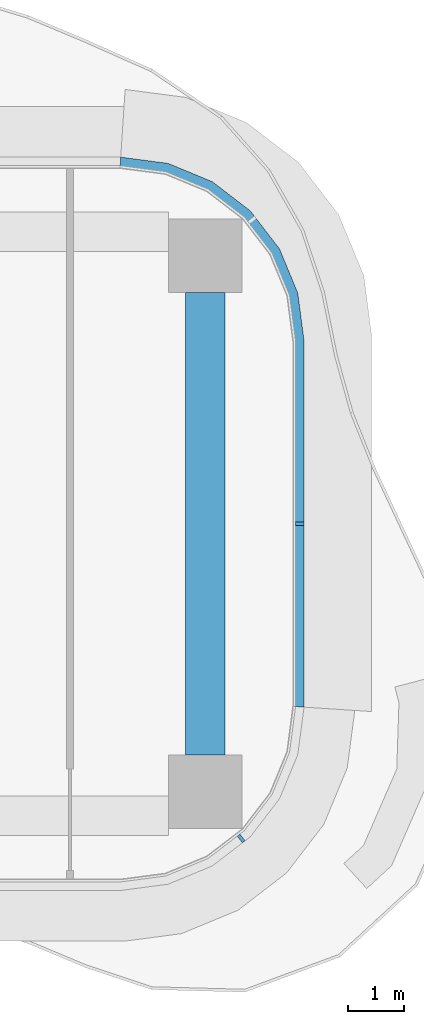
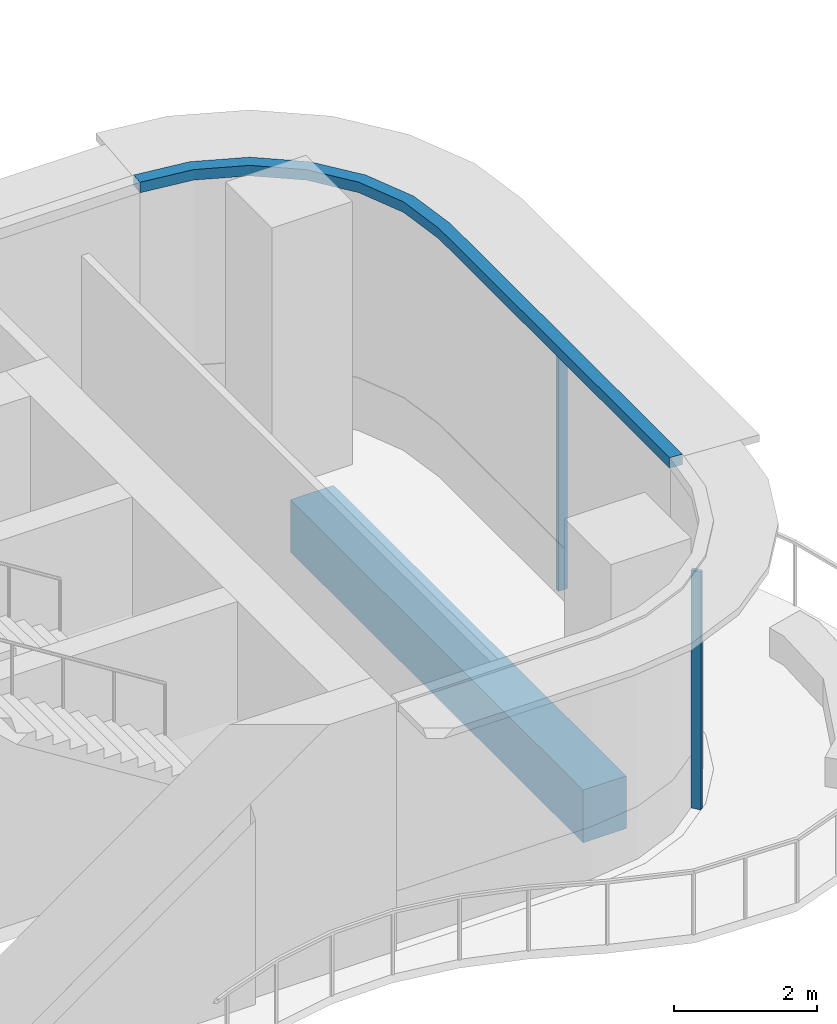
# One storey, part 7 of 22: 3 members, 1 beam, 2 elements without a shape of their own.
"""IFC4 building model written with IfcOpenShell, lengths in metres."""

from ifc_helpers import new_model, si_unit, direction, frame, origin, origin_2d, place, context, subcontext, project, spatial, polyline, rectangle, outline, extrude, source, transform, mapped, material, layer, layer_set, material_profile, profile_set, type_object, element, aggregate, save


model = new_model("IFC4")

# Units and contexts
model_context = context("Model", 3, precision=1e-05, world=origin(), true_north=direction((0.0, 1.0)))
body_context = subcontext(model_context, "Body", "Model", "MODEL_VIEW")
ifc_project = project(units=[si_unit("LENGTHUNIT", "METRE"), si_unit("AREAUNIT", "SQUARE_METRE"), si_unit("VOLUMEUNIT", "CUBIC_METRE"), si_unit("PLANEANGLEUNIT", "RADIAN"), si_unit("MASSUNIT", "GRAM", prefix="KILO")], contexts=[model_context])

# Site, building, storey
site_placement = place(None, origin())
site = spatial("IfcSite", under=ifc_project, at=site_placement, CompositionType="ELEMENT")
building_placement = place(site_placement, origin())
building = spatial("IfcBuilding", under=site, at=building_placement, Name="Trellis Farm Tower", CompositionType="ELEMENT")
storey_placement = place(building_placement, frame((0.0, 0.0, 124.5)))
storey = spatial("IfcBuildingStorey", under=building, at=storey_placement, Name="L26", CompositionType="ELEMENT", Elevation=124.5)

# Beam
ifc_material_1 = material(Name="Concrete C60/75", Category="concrete")
ifc_material_profile_1 = material_profile(ifc_material_1, rectangle(XDim=0.699951171875, YDim=0.89990234375, at=origin_2d()), Name="RC spandrel beam 700x900 C60/75")
ifc_profile_set_1 = profile_set([ifc_material_profile_1], Name="Concrete C60/75")
beam_type = type_object("IfcBeamType", Name="RC spandrel beam 700x900 C60/75", PredefinedType="SPANDREL", material=ifc_profile_set_1)
shared_shape_1 = source(origin(), body_context, "Body", "SweptSolid", [
    extrude(rectangle(XDim=0.699951171875, YDim=0.89990234375, at=origin_2d()), origin(), (0.0, 0.0, 1.0), 8.2001953125),
])
beam_placement = place(storey_placement, frame((27.5, -4.10009765625, -0.699951171875), z_axis=(0.0, 1.0, 0.0), x_axis=(-1.0, 0.0, 0.0)))
element("IfcBeam", 1, at=beam_placement, inside=storey, type_object=beam_type, Name="Girder", PredefinedType="SPANDREL", context=body_context, shape_type="MappedRepresentation", body=[
    mapped(shared_shape_1, transform((0.0, 0.0, 0.0))),
])

# Curtain wall, member
ifc_material_2 = material(Name="Aluminium and glass curtain wall", Category="aluminium")
ifc_layer_1 = layer(ifc_material_2, 0.18994140625)
ifc_layer_set_1 = layer_set([ifc_layer_1], Name="RIBBON CURTAIN WALL CW1")
curtain_wall_type = type_object("IfcCurtainWallType", Name="RIBBON CURTAIN WALL CW1", PredefinedType="NOTDEFINED", material=ifc_layer_set_1)
placement = place(storey_placement, origin())
curtain_wall_1 = element("IfcCurtainWall", 2, at=placement, inside=storey, type_object=curtain_wall_type, Name="CW1 006", PredefinedType="NOTDEFINED")
ifc_material_3 = material(Name="Aluminium extrusion 6063-T6", Category="aluminium")
ifc_material_profile_2 = material_profile(ifc_material_3, rectangle(XDim=0.06005859375, YDim=0.14990234375, at=origin_2d()), Name="MULLION 60x150")
ifc_profile_set_2 = profile_set([ifc_material_profile_2], Name="Aluminium extrusion 6063-T6")
member_type_1 = type_object("IfcMemberType", Name="CW1 MULLION 60x150", PredefinedType="MULLION", material=ifc_profile_set_2)
shared_shape_2 = source(origin(), body_context, "Body", "SweptSolid", [
    extrude(rectangle(XDim=0.06005859375, YDim=0.14990234375, at=origin_2d()), origin(), (0.0, 0.0, 1.0), 4.070068359375),
])
member_1_placement = place(storey_placement, frame((28.135498046875, -5.578369140625, 0.0), z_axis=(0.0, 0.0, 1.0), x_axis=(0.793353340291, 0.608761429009, 0.0)))
member_1 = element("IfcMember", 3, at=member_1_placement, type_object=member_type_1, Name="MU1 006-01", PredefinedType="MULLION", context=body_context, shape_type="MappedRepresentation", body=[
    mapped(shared_shape_2, transform((0.0, 0.0, 0.0))),
])
aggregate(curtain_wall_1, [member_1])

# Curtain wall, members
curtain_wall_2 = element("IfcCurtainWall", 4, at=placement, inside=storey, type_object=curtain_wall_type, Name="CW1 007", PredefinedType="NOTDEFINED")
member_2_placement = place(storey_placement, frame((29.175048828125, 0.0, 0.0), z_axis=(0.0, 0.0, 1.0), x_axis=(0.0, 1.0, 0.0)))
member_2 = element("IfcMember", 5, at=member_2_placement, type_object=member_type_1, Name="MU1 007-01", PredefinedType="MULLION", context=body_context, shape_type="MappedRepresentation", body=[
    mapped(shared_shape_2, transform((0.0, 0.0, 0.0))),
])
ifc_layer_2 = layer(ifc_material_3, 0.199951171875)
ifc_layer_set_2 = layer_set([ifc_layer_2], Name="Aluminium extrusion 6063-T6")
member_type_2 = type_object("IfcMemberType", Name="CW1 TRANSOM 200x180", PredefinedType="USERDEFINED", material=ifc_layer_set_2)
shared_shape_3 = source(origin(), body_context, "Body", "SweptSolid", [
    extrude(outline(polyline([(29.25, -3.25), (29.25, 3.25), (29.13916015625, 4.091064453125), (28.814697265625, 4.875), (28.298095703125, 5.548095703125), (27.625, 6.064697265625), (26.841064453125, 6.38916015625), (26.0, 6.5), (25.98681640625, 6.300048828125), (26.7890625, 6.1943359375), (27.524169921875, 5.889892578125), (28.155517578125, 5.405517578125), (28.639892578125, 4.774169921875), (28.9443359375, 4.0390625), (29.050048828125, 3.23681640625), (29.050048828125, -3.23681640625), (29.25, -3.25)])), origin(), (0.0, 0.0, 1.0), 0.179931640625),
])
member_3_placement = place(storey_placement, frame((0.0, 0.0, 4.070068359375)))
member_3 = element("IfcMember", 6, at=member_3_placement, type_object=member_type_2, Name="TR1 007", ObjectType="TRANSOM", PredefinedType="USERDEFINED", context=body_context, shape_type="MappedRepresentation", body=[
    mapped(shared_shape_3, transform((0.0, 0.0, 0.0))),
])
aggregate(curtain_wall_2, [member_2, member_3])

save(model, "model.ifc")
